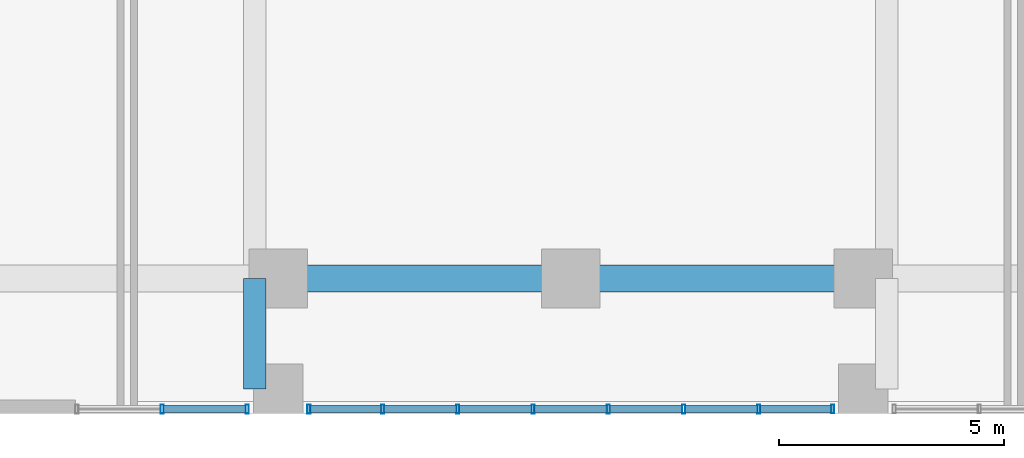
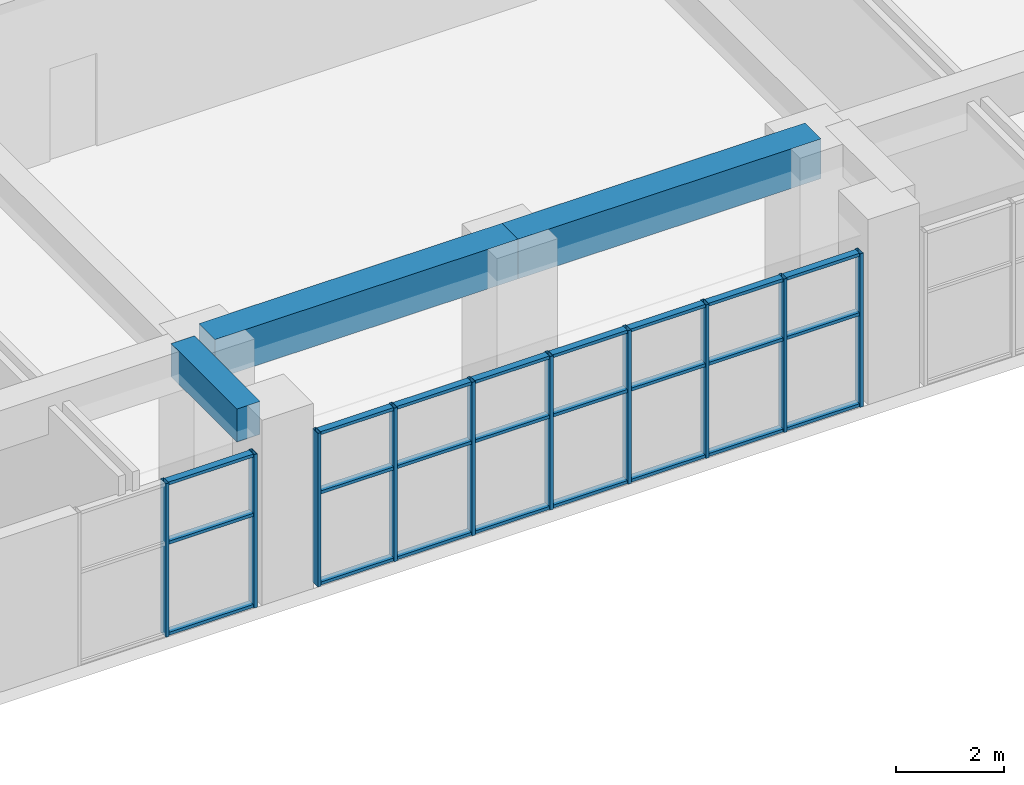
# One storey, part 4 of 24: 34 members, 3 beams, 2 elements without a shape of their own.
"""IFC4 building model written with IfcOpenShell, lengths in metres."""

from ifc_helpers import new_model, si_unit, direction, frame, origin, origin_2d, place, context, subcontext, project, spatial, rectangle, hollow_rectangle, extrude, source, transform, mapped, material, layer, layer_set, material_profile, profile_set, type_object, element, aggregate, save


model = new_model("IFC4")

# Units and contexts
model_context = context("Model", 3, precision=1e-05, world=origin(), true_north=direction((0.0, 1.0)))
body_context = subcontext(model_context, "Body", "Model", "MODEL_VIEW")
ifc_project = project(units=[si_unit("LENGTHUNIT", "METRE"), si_unit("AREAUNIT", "SQUARE_METRE"), si_unit("VOLUMEUNIT", "CUBIC_METRE"), si_unit("PLANEANGLEUNIT", "RADIAN"), si_unit("MASSUNIT", "GRAM", prefix="KILO")], contexts=[model_context])

# Site, building, storey
site_placement = place(None, origin())
site = spatial("IfcSite", under=ifc_project, at=site_placement, CompositionType="ELEMENT")
building_placement = place(site_placement, origin())
building = spatial("IfcBuilding", under=site, at=building_placement, Name="Saelheon Loggia Tower", CompositionType="ELEMENT")
storey_placement = place(building_placement, origin())
storey = spatial("IfcBuildingStorey", under=building, at=storey_placement, Name="L00", CompositionType="ELEMENT", Elevation=0.0)

# Beams
ifc_material_1 = material(Name="Concrete C50/60", Category="concrete")
ifc_material_profile_1 = material_profile(ifc_material_1, rectangle(XDim=0.60009765625, YDim=0.89990234375, at=origin_2d()), Name="RC-600x900")
ifc_profile_set_1 = profile_set([ifc_material_profile_1], Name="Concrete C50/60")
beam_type_1 = type_object("IfcBeamType", Name="Beam_MainGirder_RC600x900", PredefinedType="BEAM", material=ifc_profile_set_1)
shared_shape_1 = source(origin(), body_context, "Body", "SweptSolid", [
    extrude(rectangle(XDim=0.60009765625, YDim=0.89990234375, at=origin_2d()), origin(), (0.0, 0.0, 1.0), 6.5),
])
for number, where, z_axis, x_axis, name in (
    (1, (31.5, 3.0, 3.75), (1.0, 0.0, 0.0), (0.0, 1.0, 0.0), "BM-L00-EW-3-4"),
    (2, (38.0, 3.0, 3.75), (1.0, 0.0, 0.0), (0.0, 1.0, 0.0), "BM-L00-EW-3-5"),
):
    element("IfcBeam", number, at=place(storey_placement, frame(where, z_axis=z_axis, x_axis=x_axis)), inside=storey, type_object=beam_type_1, Name=name, PredefinedType="BEAM", context=body_context, shape_type="MappedRepresentation", body=[
        mapped(shared_shape_1, transform((0.0, 0.0, 0.0), scale=1.0)),
    ])
ifc_material_2 = material(Name="Concrete C45/55", Category="concrete")
ifc_material_profile_2 = material_profile(ifc_material_2, rectangle(XDim=0.5, YDim=0.75, at=origin_2d()), Name="RC-500x750")
ifc_profile_set_2 = profile_set([ifc_material_profile_2], Name="Concrete C45/55")
beam_type_2 = type_object("IfcBeamType", Name="Beam_FloorGirder_RC500x750", PredefinedType="BEAM", material=ifc_profile_set_2)
shared_shape_2 = source(origin(), body_context, "Body", "SweptSolid", [
    extrude(rectangle(XDim=0.5, YDim=0.75, at=origin_2d()), origin(), (0.0, 0.0, 1.0), 2.449951171875),
])
beam_placement = place(storey_placement, frame((30.97998046875, 0.550048828125, 3.824951171875), z_axis=(0.0, 1.0, 0.0), x_axis=(-1.0, 0.0, 0.0)))
element("IfcBeam", 3, at=beam_placement, inside=storey, type_object=beam_type_2, Name="BM-L00-NS-30-1", PredefinedType="BEAM", context=body_context, shape_type="MappedRepresentation", body=[
    mapped(shared_shape_2, transform((0.0, 0.0, 0.0), scale=1.0)),
])

# Curtain wall, members
ifc_material_3 = material(Name="Aluminium 6063-T6 and Laminated Low-E Glass", Category="aluminium")
ifc_layer = layer(ifc_material_3, 0.199951171875)
ifc_layer_set = layer_set([ifc_layer], Name="Aluminium 6063-T6 and Laminated Low-E Glass")
curtain_wall_type = type_object("IfcCurtainWallType", Name="CW_PodiumEntry", PredefinedType="NOTDEFINED", material=ifc_layer_set)
curtain_wall_1_placement = place(storey_placement, origin())
curtain_wall_1 = element("IfcCurtainWall", 4, at=curtain_wall_1_placement, inside=storey, type_object=curtain_wall_type, Name="L00 Outpatient Main Entry Curtain Wall 1", PredefinedType="NOTDEFINED")
ifc_material_4 = material(Name="Anodised Aluminium 6063-T6", Category="aluminium")
ifc_material_profile_3 = material_profile(ifc_material_4, hollow_rectangle(XDim=0.070068359375, YDim=0.199951171875, WallThickness=0.0048828125, at=origin_2d()), Name="RHS-200x70x5")
ifc_profile_set_3 = profile_set([ifc_material_profile_3], Name="Anodised Aluminium 6063-T6")
member_type_1 = type_object("IfcMemberType", Name="CW_PodiumEntry_Mullion", PredefinedType="MULLION", material=ifc_profile_set_3)
shared_shape_3 = source(origin(), body_context, "Body", "SweptSolid", [
    extrude(hollow_rectangle(XDim=0.070068359375, YDim=0.199951171875, WallThickness=0.0048828125, at=origin_2d()), origin(), (0.0, 0.0, 1.0), 3.47998046875),
])
member_1_placement = place(storey_placement, frame((28.925048828125, 0.10009765625, 0.0), z_axis=(0.0, 0.0, 1.0), x_axis=(1.0, 0.0, 0.0)))
member_1 = element("IfcMember", 5, at=member_1_placement, type_object=member_type_1, Name="CW2 mullion 2", PredefinedType="MULLION", context=body_context, shape_type="MappedRepresentation", body=[
    mapped(shared_shape_3, transform((0.0, 0.0, 0.0), scale=1.0)),
])
member_2_placement = place(storey_placement, frame((30.81494140625, 0.10009765625, 0.0), z_axis=(0.0, 0.0, 1.0), x_axis=(1.0, 0.0, 0.0)))
member_2 = element("IfcMember", 6, at=member_2_placement, type_object=member_type_1, Name="CW2 mullion 3", PredefinedType="MULLION", context=body_context, shape_type="MappedRepresentation", body=[
    mapped(shared_shape_3, transform((0.0, 0.0, 0.0), scale=1.0)),
])

curtain_wall_2_placement = place(storey_placement, origin())
curtain_wall_2 = element("IfcCurtainWall", 7, at=curtain_wall_2_placement, inside=storey, type_object=curtain_wall_type, Name="L00 Outpatient Main Entry Curtain Wall 2", PredefinedType="NOTDEFINED")
member_3_placement = place(storey_placement, frame((32.18505859375, 0.10009765625, 0.0), z_axis=(0.0, 0.0, 1.0), x_axis=(1.0, 0.0, 0.0)))
member_3 = element("IfcMember", 8, at=member_3_placement, type_object=member_type_1, Name="CW2 mullion 1", PredefinedType="MULLION", context=body_context, shape_type="MappedRepresentation", body=[
    mapped(shared_shape_3, transform((0.0, 0.0, 0.0), scale=1.0)),
])
member_4_placement = place(storey_placement, frame((33.821533203125, 0.10009765625, 0.0), z_axis=(0.0, 0.0, 1.0), x_axis=(1.0, 0.0, 0.0)))
member_4 = element("IfcMember", 9, at=member_4_placement, type_object=member_type_1, Name="CW2 mullion 2", PredefinedType="MULLION", context=body_context, shape_type="MappedRepresentation", body=[
    mapped(shared_shape_3, transform((0.0, 0.0, 0.0), scale=1.0)),
])
member_5_placement = place(storey_placement, frame((35.492919921875, 0.10009765625, 0.0), z_axis=(0.0, 0.0, 1.0), x_axis=(1.0, 0.0, 0.0)))
member_5 = element("IfcMember", 10, at=member_5_placement, type_object=member_type_1, Name="CW2 mullion 3", PredefinedType="MULLION", context=body_context, shape_type="MappedRepresentation", body=[
    mapped(shared_shape_3, transform((0.0, 0.0, 0.0), scale=1.0)),
])
member_6_placement = place(storey_placement, frame((37.164306640625, 0.10009765625, 0.0), z_axis=(0.0, 0.0, 1.0), x_axis=(1.0, 0.0, 0.0)))
member_6 = element("IfcMember", 11, at=member_6_placement, type_object=member_type_1, Name="CW2 mullion 4", PredefinedType="MULLION", context=body_context, shape_type="MappedRepresentation", body=[
    mapped(shared_shape_3, transform((0.0, 0.0, 0.0), scale=1.0)),
])
member_7_placement = place(storey_placement, frame((38.835693359375, 0.10009765625, 0.0), z_axis=(0.0, 0.0, 1.0), x_axis=(1.0, 0.0, 0.0)))
member_7 = element("IfcMember", 12, at=member_7_placement, type_object=member_type_1, Name="CW2 mullion 5", PredefinedType="MULLION", context=body_context, shape_type="MappedRepresentation", body=[
    mapped(shared_shape_3, transform((0.0, 0.0, 0.0), scale=1.0)),
])
member_8_placement = place(storey_placement, frame((40.507080078125, 0.10009765625, 0.0), z_axis=(0.0, 0.0, 1.0), x_axis=(1.0, 0.0, 0.0)))
member_8 = element("IfcMember", 13, at=member_8_placement, type_object=member_type_1, Name="CW2 mullion 6", PredefinedType="MULLION", context=body_context, shape_type="MappedRepresentation", body=[
    mapped(shared_shape_3, transform((0.0, 0.0, 0.0), scale=1.0)),
])
member_9_placement = place(storey_placement, frame((42.178466796875, 0.10009765625, 0.0), z_axis=(0.0, 0.0, 1.0), x_axis=(1.0, 0.0, 0.0)))
member_9 = element("IfcMember", 14, at=member_9_placement, type_object=member_type_1, Name="CW2 mullion 7", PredefinedType="MULLION", context=body_context, shape_type="MappedRepresentation", body=[
    mapped(shared_shape_3, transform((0.0, 0.0, 0.0), scale=1.0)),
])
member_10_placement = place(storey_placement, frame((43.81494140625, 0.10009765625, 0.0), z_axis=(0.0, 0.0, 1.0), x_axis=(1.0, 0.0, 0.0)))
member_10 = element("IfcMember", 15, at=member_10_placement, type_object=member_type_1, Name="CW2 mullion 8", PredefinedType="MULLION", context=body_context, shape_type="MappedRepresentation", body=[
    mapped(shared_shape_3, transform((0.0, 0.0, 0.0), scale=1.0)),
])

# Member
ifc_material_profile_4 = material_profile(ifc_material_4, hollow_rectangle(XDim=0.070068359375, YDim=0.14990234375, WallThickness=0.0048828125, at=origin_2d()), Name="RHS-150x70x5")
ifc_profile_set_4 = profile_set([ifc_material_profile_4], Name="Anodised Aluminium 6063-T6")
member_type_2 = type_object("IfcMemberType", Name="CW_PodiumEntry_Transom", PredefinedType="USERDEFINED", material=ifc_profile_set_4)
shared_shape_4 = source(origin(), body_context, "Body", "SweptSolid", [
    extrude(hollow_rectangle(XDim=0.070068359375, YDim=0.14990234375, WallThickness=0.0048828125, at=origin_2d()), origin(), (0.0, 0.0, 1.0), 1.820068359375),
])
member_11_placement = place(storey_placement, frame((28.9599609375, 0.10009765625, 0.034912109375), z_axis=(1.0, 0.0, 0.0), x_axis=(0.0, 0.0, 1.0)))
member_11 = element("IfcMember", 16, at=member_11_placement, type_object=member_type_2, Name="CW2 transom 2.1", ObjectType="TRANSOM", PredefinedType="USERDEFINED", context=body_context, shape_type="MappedRepresentation", body=[
    mapped(shared_shape_4, transform((0.0, 0.0, 0.0), scale=1.0)),
])

member_12_placement = place(storey_placement, frame((28.9599609375, 0.10009765625, 2.10009765625), z_axis=(1.0, 0.0, 0.0), x_axis=(0.0, 0.0, 1.0)))
member_12 = element("IfcMember", 17, at=member_12_placement, type_object=member_type_2, Name="CW2 transom 2.2", ObjectType="TRANSOM", PredefinedType="USERDEFINED", context=body_context, shape_type="MappedRepresentation", body=[
    mapped(shared_shape_4, transform((0.0, 0.0, 0.0), scale=1.0)),
])

member_13_placement = place(storey_placement, frame((28.9599609375, 0.10009765625, 3.445068359375), z_axis=(1.0, 0.0, 0.0), x_axis=(0.0, 0.0, 1.0)))
member_13 = element("IfcMember", 18, at=member_13_placement, type_object=member_type_2, Name="CW2 transom 2.3", ObjectType="TRANSOM", PredefinedType="USERDEFINED", context=body_context, shape_type="MappedRepresentation", body=[
    mapped(shared_shape_4, transform((0.0, 0.0, 0.0), scale=1.0)),
])

aggregate(curtain_wall_1, [member_1, member_2, member_11, member_12, member_13])

shared_shape_5 = source(origin(), body_context, "Body", "SweptSolid", [
    extrude(hollow_rectangle(XDim=0.070068359375, YDim=0.14990234375, WallThickness=0.0048828125, at=origin_2d()), origin(), (0.0, 0.0, 1.0), 1.56640625),
])
member_14_placement = place(storey_placement, frame((32.219970703125, 0.10009765625, 0.034912109375), z_axis=(1.0, 0.0, 0.0), x_axis=(0.0, 0.0, 1.0)))
member_14 = element("IfcMember", 19, at=member_14_placement, type_object=member_type_2, Name="CW2 transom 1.1", ObjectType="TRANSOM", PredefinedType="USERDEFINED", context=body_context, shape_type="MappedRepresentation", body=[
    mapped(shared_shape_5, transform((0.0, 0.0, 0.0), scale=1.0)),
])

member_15_placement = place(storey_placement, frame((32.219970703125, 0.10009765625, 2.10009765625), z_axis=(1.0, 0.0, 0.0), x_axis=(0.0, 0.0, 1.0)))
member_15 = element("IfcMember", 20, at=member_15_placement, type_object=member_type_2, Name="CW2 transom 1.2", ObjectType="TRANSOM", PredefinedType="USERDEFINED", context=body_context, shape_type="MappedRepresentation", body=[
    mapped(shared_shape_5, transform((0.0, 0.0, 0.0), scale=1.0)),
])

member_16_placement = place(storey_placement, frame((32.219970703125, 0.10009765625, 3.445068359375), z_axis=(1.0, 0.0, 0.0), x_axis=(0.0, 0.0, 1.0)))
member_16 = element("IfcMember", 21, at=member_16_placement, type_object=member_type_2, Name="CW2 transom 1.3", ObjectType="TRANSOM", PredefinedType="USERDEFINED", context=body_context, shape_type="MappedRepresentation", body=[
    mapped(shared_shape_5, transform((0.0, 0.0, 0.0), scale=1.0)),
])

member_17_placement = place(storey_placement, frame((42.213623046875, 0.10009765625, 0.034912109375), z_axis=(1.0, 0.0, 0.0), x_axis=(0.0, 0.0, 1.0)))
member_17 = element("IfcMember", 22, at=member_17_placement, type_object=member_type_2, Name="CW2 transom 7.1", ObjectType="TRANSOM", PredefinedType="USERDEFINED", context=body_context, shape_type="MappedRepresentation", body=[
    mapped(shared_shape_5, transform((0.0, 0.0, 0.0), scale=1.0)),
])

member_18_placement = place(storey_placement, frame((42.213623046875, 0.10009765625, 2.10009765625), z_axis=(1.0, 0.0, 0.0), x_axis=(0.0, 0.0, 1.0)))
member_18 = element("IfcMember", 23, at=member_18_placement, type_object=member_type_2, Name="CW2 transom 7.2", ObjectType="TRANSOM", PredefinedType="USERDEFINED", context=body_context, shape_type="MappedRepresentation", body=[
    mapped(shared_shape_5, transform((0.0, 0.0, 0.0), scale=1.0)),
])

member_19_placement = place(storey_placement, frame((42.213623046875, 0.10009765625, 3.445068359375), z_axis=(1.0, 0.0, 0.0), x_axis=(0.0, 0.0, 1.0)))
member_19 = element("IfcMember", 24, at=member_19_placement, type_object=member_type_2, Name="CW2 transom 7.3", ObjectType="TRANSOM", PredefinedType="USERDEFINED", context=body_context, shape_type="MappedRepresentation", body=[
    mapped(shared_shape_5, transform((0.0, 0.0, 0.0), scale=1.0)),
])

shared_shape_6 = source(origin(), body_context, "Body", "SweptSolid", [
    extrude(hollow_rectangle(XDim=0.070068359375, YDim=0.14990234375, WallThickness=0.0048828125, at=origin_2d()), origin(), (0.0, 0.0, 1.0), 1.601318359375),
])
member_20_placement = place(storey_placement, frame((33.8564453125, 0.10009765625, 0.034912109375), z_axis=(1.0, 0.0, 0.0), x_axis=(0.0, 0.0, 1.0)))
member_20 = element("IfcMember", 25, at=member_20_placement, type_object=member_type_2, Name="CW2 transom 2.1", ObjectType="TRANSOM", PredefinedType="USERDEFINED", context=body_context, shape_type="MappedRepresentation", body=[
    mapped(shared_shape_6, transform((0.0, 0.0, 0.0), scale=1.0)),
])

member_21_placement = place(storey_placement, frame((33.8564453125, 0.10009765625, 2.10009765625), z_axis=(1.0, 0.0, 0.0), x_axis=(0.0, 0.0, 1.0)))
member_21 = element("IfcMember", 26, at=member_21_placement, type_object=member_type_2, Name="CW2 transom 2.2", ObjectType="TRANSOM", PredefinedType="USERDEFINED", context=body_context, shape_type="MappedRepresentation", body=[
    mapped(shared_shape_6, transform((0.0, 0.0, 0.0), scale=1.0)),
])

member_22_placement = place(storey_placement, frame((33.8564453125, 0.10009765625, 3.445068359375), z_axis=(1.0, 0.0, 0.0), x_axis=(0.0, 0.0, 1.0)))
member_22 = element("IfcMember", 27, at=member_22_placement, type_object=member_type_2, Name="CW2 transom 2.3", ObjectType="TRANSOM", PredefinedType="USERDEFINED", context=body_context, shape_type="MappedRepresentation", body=[
    mapped(shared_shape_6, transform((0.0, 0.0, 0.0), scale=1.0)),
])

member_23_placement = place(storey_placement, frame((40.542236328125, 0.10009765625, 0.034912109375), z_axis=(1.0, 0.0, 0.0), x_axis=(0.0, 0.0, 1.0)))
member_23 = element("IfcMember", 28, at=member_23_placement, type_object=member_type_2, Name="CW2 transom 6.1", ObjectType="TRANSOM", PredefinedType="USERDEFINED", context=body_context, shape_type="MappedRepresentation", body=[
    mapped(shared_shape_6, transform((0.0, 0.0, 0.0), scale=1.0)),
])

member_24_placement = place(storey_placement, frame((40.542236328125, 0.10009765625, 2.10009765625), z_axis=(1.0, 0.0, 0.0), x_axis=(0.0, 0.0, 1.0)))
member_24 = element("IfcMember", 29, at=member_24_placement, type_object=member_type_2, Name="CW2 transom 6.2", ObjectType="TRANSOM", PredefinedType="USERDEFINED", context=body_context, shape_type="MappedRepresentation", body=[
    mapped(shared_shape_6, transform((0.0, 0.0, 0.0), scale=1.0)),
])

member_25_placement = place(storey_placement, frame((40.542236328125, 0.10009765625, 3.445068359375), z_axis=(1.0, 0.0, 0.0), x_axis=(0.0, 0.0, 1.0)))
member_25 = element("IfcMember", 30, at=member_25_placement, type_object=member_type_2, Name="CW2 transom 6.3", ObjectType="TRANSOM", PredefinedType="USERDEFINED", context=body_context, shape_type="MappedRepresentation", body=[
    mapped(shared_shape_6, transform((0.0, 0.0, 0.0), scale=1.0)),
])

shared_shape_7 = source(origin(), body_context, "Body", "SweptSolid", [
    extrude(hollow_rectangle(XDim=0.070068359375, YDim=0.14990234375, WallThickness=0.0048828125, at=origin_2d()), origin(), (0.0, 0.0, 1.0), 1.6015625),
])
member_26_placement = place(storey_placement, frame((35.52783203125, 0.10009765625, 0.034912109375), z_axis=(1.0, 0.0, 0.0), x_axis=(0.0, 0.0, 1.0)))
member_26 = element("IfcMember", 31, at=member_26_placement, type_object=member_type_2, Name="CW2 transom 3.1", ObjectType="TRANSOM", PredefinedType="USERDEFINED", context=body_context, shape_type="MappedRepresentation", body=[
    mapped(shared_shape_7, transform((0.0, 0.0, 0.0), scale=1.0)),
])

member_27_placement = place(storey_placement, frame((35.52783203125, 0.10009765625, 2.10009765625), z_axis=(1.0, 0.0, 0.0), x_axis=(0.0, 0.0, 1.0)))
member_27 = element("IfcMember", 32, at=member_27_placement, type_object=member_type_2, Name="CW2 transom 3.2", ObjectType="TRANSOM", PredefinedType="USERDEFINED", context=body_context, shape_type="MappedRepresentation", body=[
    mapped(shared_shape_7, transform((0.0, 0.0, 0.0), scale=1.0)),
])

member_28_placement = place(storey_placement, frame((35.52783203125, 0.10009765625, 3.445068359375), z_axis=(1.0, 0.0, 0.0), x_axis=(0.0, 0.0, 1.0)))
member_28 = element("IfcMember", 33, at=member_28_placement, type_object=member_type_2, Name="CW2 transom 3.3", ObjectType="TRANSOM", PredefinedType="USERDEFINED", context=body_context, shape_type="MappedRepresentation", body=[
    mapped(shared_shape_7, transform((0.0, 0.0, 0.0), scale=1.0)),
])

member_29_placement = place(storey_placement, frame((37.19921875, 0.10009765625, 0.034912109375), z_axis=(1.0, 0.0, 0.0), x_axis=(0.0, 0.0, 1.0)))
member_29 = element("IfcMember", 34, at=member_29_placement, type_object=member_type_2, Name="CW2 transom 4.1", ObjectType="TRANSOM", PredefinedType="USERDEFINED", context=body_context, shape_type="MappedRepresentation", body=[
    mapped(shared_shape_7, transform((0.0, 0.0, 0.0), scale=1.0)),
])

member_30_placement = place(storey_placement, frame((37.19921875, 0.10009765625, 2.10009765625), z_axis=(1.0, 0.0, 0.0), x_axis=(0.0, 0.0, 1.0)))
member_30 = element("IfcMember", 35, at=member_30_placement, type_object=member_type_2, Name="CW2 transom 4.2", ObjectType="TRANSOM", PredefinedType="USERDEFINED", context=body_context, shape_type="MappedRepresentation", body=[
    mapped(shared_shape_7, transform((0.0, 0.0, 0.0), scale=1.0)),
])

member_31_placement = place(storey_placement, frame((37.19921875, 0.10009765625, 3.445068359375), z_axis=(1.0, 0.0, 0.0), x_axis=(0.0, 0.0, 1.0)))
member_31 = element("IfcMember", 36, at=member_31_placement, type_object=member_type_2, Name="CW2 transom 4.3", ObjectType="TRANSOM", PredefinedType="USERDEFINED", context=body_context, shape_type="MappedRepresentation", body=[
    mapped(shared_shape_7, transform((0.0, 0.0, 0.0), scale=1.0)),
])

member_32_placement = place(storey_placement, frame((38.87060546875, 0.10009765625, 0.034912109375), z_axis=(1.0, 0.0, 0.0), x_axis=(0.0, 0.0, 1.0)))
member_32 = element("IfcMember", 37, at=member_32_placement, type_object=member_type_2, Name="CW2 transom 5.1", ObjectType="TRANSOM", PredefinedType="USERDEFINED", context=body_context, shape_type="MappedRepresentation", body=[
    mapped(shared_shape_7, transform((0.0, 0.0, 0.0), scale=1.0)),
])

member_33_placement = place(storey_placement, frame((38.87060546875, 0.10009765625, 2.10009765625), z_axis=(1.0, 0.0, 0.0), x_axis=(0.0, 0.0, 1.0)))
member_33 = element("IfcMember", 38, at=member_33_placement, type_object=member_type_2, Name="CW2 transom 5.2", ObjectType="TRANSOM", PredefinedType="USERDEFINED", context=body_context, shape_type="MappedRepresentation", body=[
    mapped(shared_shape_7, transform((0.0, 0.0, 0.0), scale=1.0)),
])

member_34_placement = place(storey_placement, frame((38.87060546875, 0.10009765625, 3.445068359375), z_axis=(1.0, 0.0, 0.0), x_axis=(0.0, 0.0, 1.0)))
member_34 = element("IfcMember", 39, at=member_34_placement, type_object=member_type_2, Name="CW2 transom 5.3", ObjectType="TRANSOM", PredefinedType="USERDEFINED", context=body_context, shape_type="MappedRepresentation", body=[
    mapped(shared_shape_7, transform((0.0, 0.0, 0.0), scale=1.0)),
])

aggregate(curtain_wall_2, [member_3, member_4, member_5, member_6, member_7, member_8, member_9, member_10, member_14, member_15, member_16, member_20, member_21, member_22, member_26, member_27, member_28, member_29, member_30, member_31, member_32, member_33, member_34, member_23, member_24, member_25, member_17, member_18, member_19])

save(model, "model.ifc")
